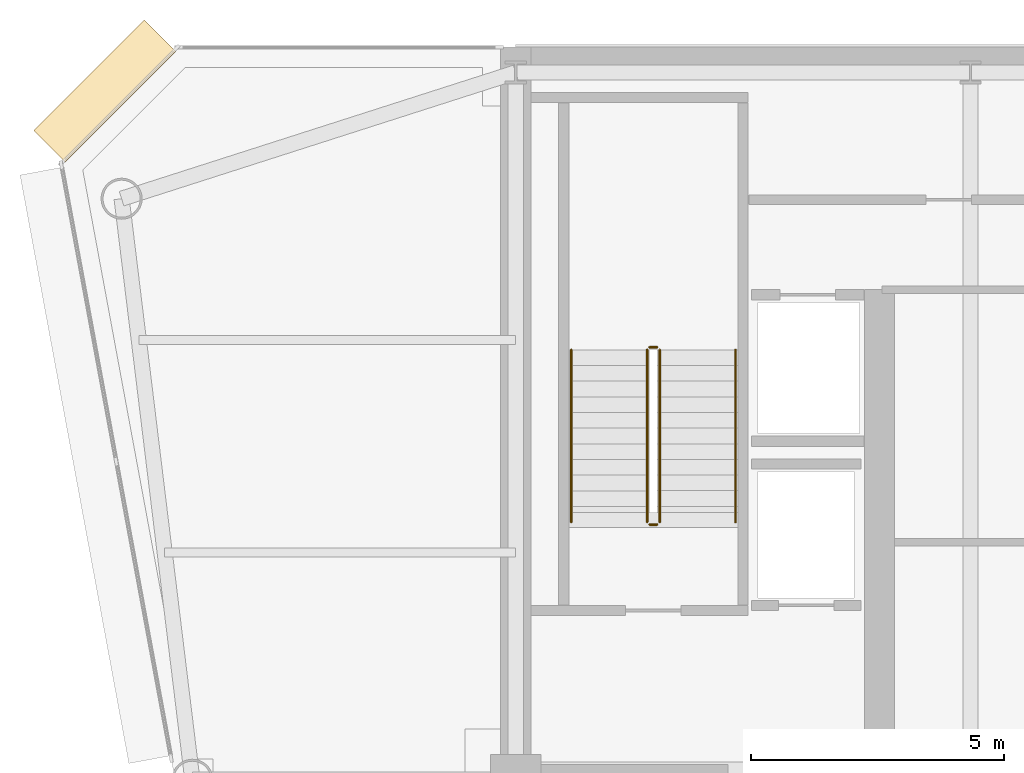
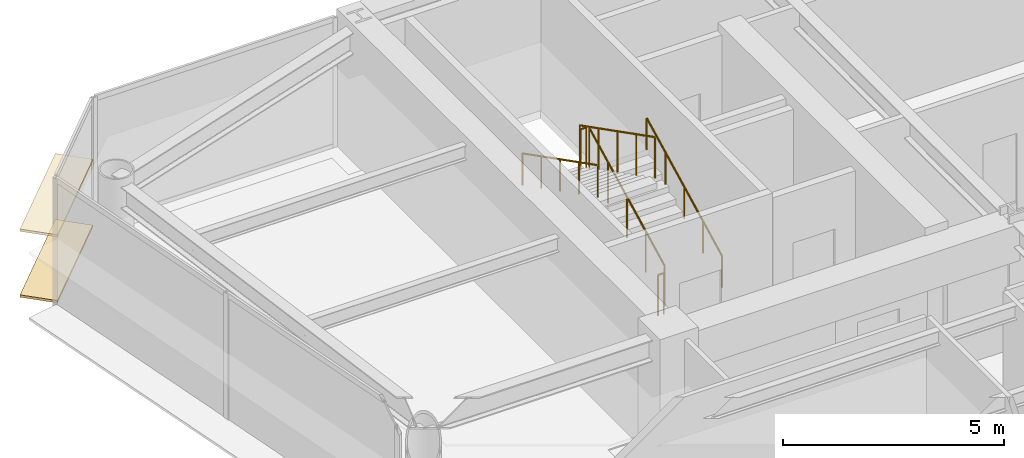
# One storey, part 14 of 16: 6 railings, 2 coverings.
"""IFC4 building model written with IfcOpenShell, lengths in metres."""

from ifc_helpers import new_model, si_unit, direction, frame, origin, origin_2d, place, context, subcontext, project, spatial, rectangle, circle, extrude, source, transform, mapped, material, layer, layer_set, type_object, element, save


model = new_model("IFC4")

# Units and contexts
model_context = context("Model", 3, precision=1e-05, world=origin(), true_north=direction((0.0, 1.0)))
body_context = subcontext(model_context, "Body", "Model", "MODEL_VIEW")
ifc_project = project(units=[si_unit("LENGTHUNIT", "METRE"), si_unit("AREAUNIT", "SQUARE_METRE"), si_unit("VOLUMEUNIT", "CUBIC_METRE"), si_unit("PLANEANGLEUNIT", "RADIAN"), si_unit("MASSUNIT", "GRAM", prefix="KILO")], contexts=[model_context])

# Site, building, storey
site_placement = place(None, origin())
site = spatial("IfcSite", under=ifc_project, at=site_placement, CompositionType="ELEMENT")
building_placement = place(site_placement, origin())
building = spatial("IfcBuilding", under=site, at=building_placement, Name="Vaeldorn Concourse Tower", CompositionType="ELEMENT")
storey_placement = place(building_placement, frame((0.0, 0.0, 210.800048828125)))
storey = spatial("IfcBuildingStorey", under=building, at=storey_placement, Name="L54", CompositionType="ELEMENT", Elevation=210.800048828125)

# Railings
ifc_material = material(Name="Anodised Bronze Aluminium", Category="aluminium")
railing_type_1 = type_object("IfcRailingType", Name="RL-STAIR-GUARD", PredefinedType="GUARDRAIL", material=ifc_material)
railing_1_placement = place(storey_placement, frame((16.85009765625, 41.60009765625, 0.158203125)))
element("IfcRailing", 1, at=railing_1_placement, inside=storey, type_object=railing_type_1, Name="L54 ST-1 stair guard 1", PredefinedType="GUARDRAIL", context=body_context, shape_type="SweptSolid", body=[
    extrude(circle(Radius=0.02392578125, at=origin_2d()), frame((0.0, 0.0, 1.1259765625), z_axis=(0.0, 0.890555807335, 0.454873997962), x_axis=(-1.0, 0.0, 0.0)), (0.0, 0.0, 1.0), 3.828857421875),
    extrude(circle(Radius=0.02099609375, at=origin_2d()), origin(), (0.0, 0.0, 1.0), 1.101806640625),
    extrude(circle(Radius=0.02099609375, at=origin_2d()), frame((0.0, 0.8525390625, 0.435546875)), (0.0, 0.0, 1.0), 1.101806640625),
    extrude(circle(Radius=0.02099609375, at=origin_2d()), frame((0.0, 1.705078125, 0.870849609375)), (0.0, 0.0, 1.0), 1.101806640625),
    extrude(circle(Radius=0.02099609375, at=origin_2d()), frame((0.0, 2.557373046875, 1.30615234375)), (0.0, 0.0, 1.0), 1.101806640625),
    extrude(circle(Radius=0.02099609375, at=origin_2d()), frame((0.0, 3.409912109375, 1.74169921875)), (0.0, 0.0, 1.0), 1.101806640625),
])
railing_2_placement = place(storey_placement, frame((16.800048828125, 45.06005859375, 1.89990234375)))
element("IfcRailing", 2, at=railing_2_placement, inside=storey, type_object=railing_type_1, Name="L54 ST-1 stair guard 2", PredefinedType="GUARDRAIL", context=body_context, shape_type="SweptSolid", body=[
    extrude(circle(Radius=0.02392578125, at=origin_2d()), frame((0.0, 0.0, 1.1259765625), z_axis=(-1.0, 0.0, 0.0), x_axis=(0.0, -1.0, 0.0)), (0.0, 0.0, 1.0), 0.150146484375),
    extrude(circle(Radius=0.02099609375, at=origin_2d()), origin(), (0.0, 0.0, 1.0), 1.101806640625),
    extrude(circle(Radius=0.02099609375, at=origin_2d()), frame((-0.150146484375, 0.0, 0.0)), (0.0, 0.0, 1.0), 1.101806640625),
])
railing_3_placement = place(storey_placement, frame((16.60009765625, 45.010009765625, 2.058349609375)))
element("IfcRailing", 3, at=railing_3_placement, inside=storey, type_object=railing_type_1, Name="L54 ST-1 stair guard 3", PredefinedType="GUARDRAIL", context=body_context, shape_type="SweptSolid", body=[
    extrude(circle(Radius=0.02392578125, at=origin_2d()), frame((0.0, 0.0, 1.1259765625), z_axis=(0.0, -0.890555807335, 0.454873997962), x_axis=(1.0, 0.0, 0.0)), (0.0, 0.0, 1.0), 3.828857421875),
    extrude(circle(Radius=0.02099609375, at=origin_2d()), origin(), (0.0, 0.0, 1.0), 1.101806640625),
    extrude(circle(Radius=0.02099609375, at=origin_2d()), frame((0.0, -0.8525390625, 0.435546875)), (0.0, 0.0, 1.0), 1.101806640625),
    extrude(circle(Radius=0.02099609375, at=origin_2d()), frame((0.0, -1.705078125, 0.870849609375)), (0.0, 0.0, 1.0), 1.101806640625),
    extrude(circle(Radius=0.02099609375, at=origin_2d()), frame((0.0, -2.557373046875, 1.30615234375)), (0.0, 0.0, 1.0), 1.101806640625),
    extrude(circle(Radius=0.02099609375, at=origin_2d()), frame((0.0, -3.409912109375, 1.74169921875)), (0.0, 0.0, 1.0), 1.101806640625),
])
railing_4_placement = place(storey_placement, frame((16.800048828125, 41.550048828125, 0.0)))
element("IfcRailing", 4, at=railing_4_placement, inside=storey, type_object=railing_type_1, Name="L54 ST-1 stair guard 4", PredefinedType="GUARDRAIL", context=body_context, shape_type="SweptSolid", body=[
    extrude(circle(Radius=0.02392578125, at=origin_2d()), frame((0.0, 0.0, 1.1259765625), z_axis=(-1.0, 0.0, 0.0), x_axis=(0.0, -1.0, 0.0)), (0.0, 0.0, 1.0), 0.150146484375),
    extrude(circle(Radius=0.02099609375, at=origin_2d()), origin(), (0.0, 0.0, 1.0), 1.101806640625),
    extrude(circle(Radius=0.02099609375, at=origin_2d()), frame((-0.150146484375, 0.0, 0.0)), (0.0, 0.0, 1.0), 1.101806640625),
])
railing_type_2 = type_object("IfcRailingType", Name="RL-STAIR-HANDRAIL", PredefinedType="HANDRAIL", material=ifc_material)
railing_5_placement = place(storey_placement, frame((18.35009765625, 41.60009765625, 0.158203125)))
element("IfcRailing", 5, at=railing_5_placement, inside=storey, type_object=railing_type_2, Name="L54 ST-1 stair handrail 1", PredefinedType="HANDRAIL", context=body_context, shape_type="SweptSolid", body=[
    extrude(circle(Radius=0.02392578125, at=origin_2d()), frame((0.0, 0.0, 0.8759765625), z_axis=(0.0, 0.890555807335, 0.454873997962), x_axis=(-1.0, 0.0, 0.0)), (0.0, 0.0, 1.0), 3.828857421875),
    extrude(circle(Radius=0.02099609375, at=origin_2d()), origin(), (0.0, 0.0, 1.0), 0.851806640625),
    extrude(circle(Radius=0.02099609375, at=origin_2d()), frame((0.0, 0.8525390625, 0.435546875)), (0.0, 0.0, 1.0), 0.851806640625),
    extrude(circle(Radius=0.02099609375, at=origin_2d()), frame((0.0, 1.705078125, 0.870849609375)), (0.0, 0.0, 1.0), 0.851806640625),
    extrude(circle(Radius=0.02099609375, at=origin_2d()), frame((0.0, 2.557373046875, 1.30615234375)), (0.0, 0.0, 1.0), 0.851806640625),
    extrude(circle(Radius=0.02099609375, at=origin_2d()), frame((0.0, 3.409912109375, 1.74169921875)), (0.0, 0.0, 1.0), 0.851806640625),
])
railing_6_placement = place(storey_placement, frame((15.10009765625, 45.010009765625, 2.058349609375)))
element("IfcRailing", 6, at=railing_6_placement, inside=storey, type_object=railing_type_2, Name="L54 ST-1 stair handrail 2", PredefinedType="HANDRAIL", context=body_context, shape_type="SweptSolid", body=[
    extrude(circle(Radius=0.02392578125, at=origin_2d()), frame((0.0, 0.0, 0.8759765625), z_axis=(0.0, -0.890555807335, 0.454873997962), x_axis=(1.0, 0.0, 0.0)), (0.0, 0.0, 1.0), 3.828857421875),
    extrude(circle(Radius=0.02099609375, at=origin_2d()), origin(), (0.0, 0.0, 1.0), 0.851806640625),
    extrude(circle(Radius=0.02099609375, at=origin_2d()), frame((0.0, -0.8525390625, 0.435546875)), (0.0, 0.0, 1.0), 0.851806640625),
    extrude(circle(Radius=0.02099609375, at=origin_2d()), frame((0.0, -1.705078125, 0.870849609375)), (0.0, 0.0, 1.0), 0.851806640625),
    extrude(circle(Radius=0.02099609375, at=origin_2d()), frame((0.0, -2.557373046875, 1.30615234375)), (0.0, 0.0, 1.0), 0.851806640625),
    extrude(circle(Radius=0.02099609375, at=origin_2d()), frame((0.0, -3.409912109375, 1.74169921875)), (0.0, 0.0, 1.0), 0.851806640625),
])

# Coverings
ifc_layer = layer(ifc_material, 0.06494140625)
ifc_layer_set = layer_set([ifc_layer], Name="Anodised Bronze Aluminium")
covering_type = type_object("IfcCoveringType", Name="SD-BRONZE-SUNSHADE", PredefinedType="USERDEFINED", material=ifc_layer_set)
shared_shape = source(origin(), body_context, "Body", "SweptSolid", [
    extrude(rectangle(XDim=3.0927734375, YDim=0.8798828125, at=origin_2d()), origin(), (0.0, 0.0, 1.0), 0.06494140625),
])
for number, where, z_axis, x_axis, name in (
    (7, (5.8671875, 50.1328125, 0.04736328125), (0.0, 0.0, 1.0), (-0.707106781187, -0.707106781187, 0.0), "Horizontal Bronze Sunshade L54-E10.1.1"),
    (8, (5.8671875, 50.1328125, 1.867431640625), (0.0, 0.0, 1.0), (-0.707106781187, -0.707106781187, 0.0), "Horizontal Bronze Sunshade L54-E10.1.2"),
):
    element("IfcCovering", number, at=place(storey_placement, frame(where, z_axis=z_axis, x_axis=x_axis)), inside=storey, type_object=covering_type, Name=name, ObjectType="SUNSHADE", PredefinedType="USERDEFINED", context=body_context, shape_type="MappedRepresentation", body=[
        mapped(shared_shape, transform((0.0, 0.0, 0.0), scale=1.0)),
    ])

save(model, "model.ifc")
